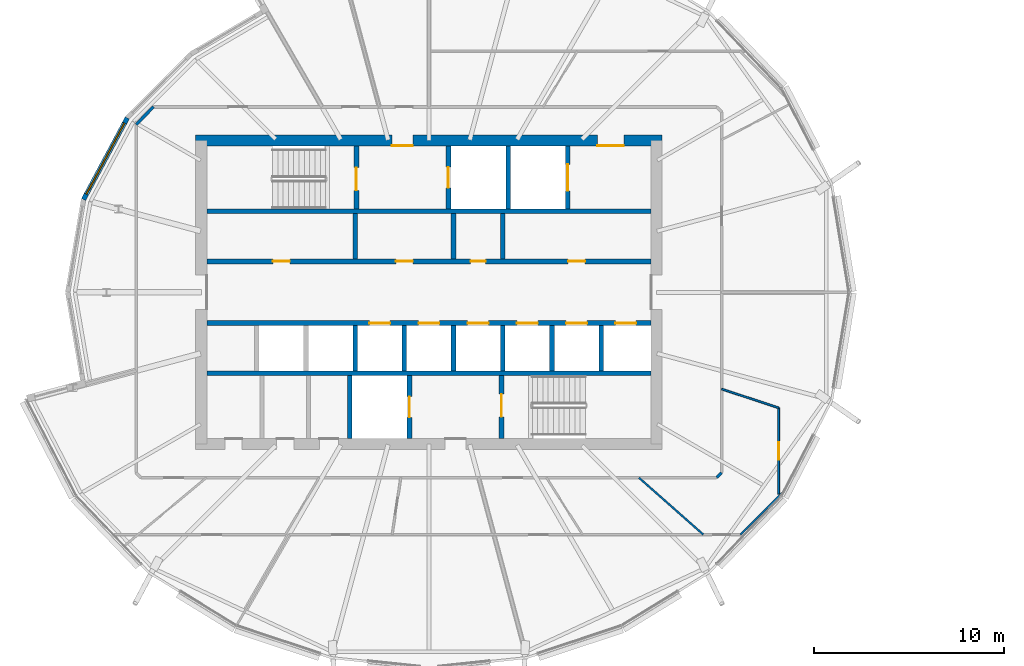
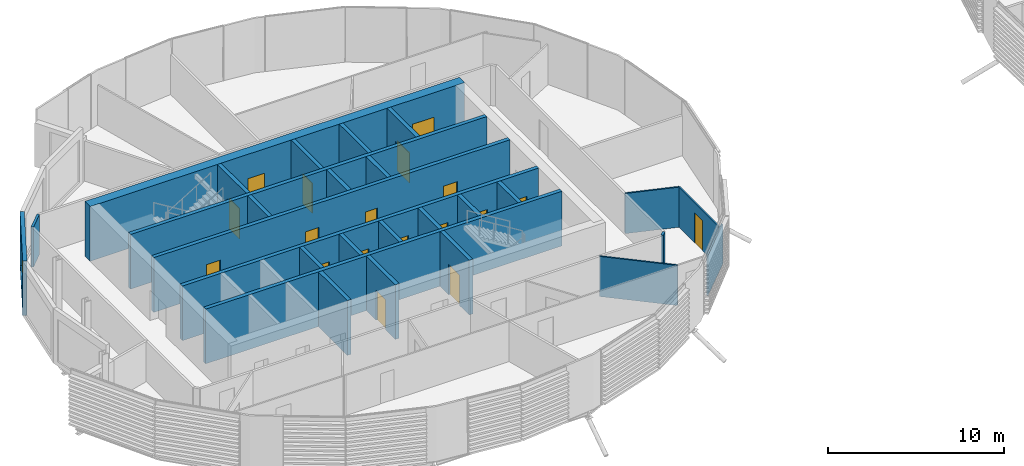
# One storey, part 19 of 36: 28 walls, 18 doors, 1 window, 19 openings.
"""IFC4 building model written with IfcOpenShell, lengths in metres."""

from ifc_helpers import new_model, si_unit, direction, frame, frame_2d, origin, place, context, subcontext, project, spatial, rectangle, extrude, material, layer, layer_set, type_object, element, fill, save


model = new_model("IFC4")

# Units and contexts
model_context = context("Model", 3, precision=1e-05, world=origin(), true_north=direction((0.0, 1.0)))
body_context = subcontext(model_context, "Body", "Model", "MODEL_VIEW")
ifc_project = project(units=[si_unit("LENGTHUNIT", "METRE"), si_unit("AREAUNIT", "SQUARE_METRE"), si_unit("VOLUMEUNIT", "CUBIC_METRE"), si_unit("PLANEANGLEUNIT", "RADIAN"), si_unit("MASSUNIT", "GRAM", prefix="KILO")], contexts=[model_context])

# Site, building, storey
site_placement = place(None, origin())
site = spatial("IfcSite", under=ifc_project, at=site_placement, CompositionType="ELEMENT")
building_placement = place(site_placement, origin())
building = spatial("IfcBuilding", under=site, at=building_placement, Name="Rimbun Link Towers", CompositionType="ELEMENT")
storey_placement = place(building_placement, frame((0.0, 0.0, 174.10009765625)))
storey = spatial("IfcBuildingStorey", under=building, at=storey_placement, Name="L42", CompositionType="ELEMENT", Elevation=174.10009765625)

# Wall, opening, window
ifc_material_1 = material(Name="Dark enamelled glass spandrel on insulated aluminium backpan", Category="aluminium")
ifc_layer_1 = layer(ifc_material_1, 0.25)
ifc_layer_set_1 = layer_set([ifc_layer_1], Name="CS dark enamelled spandrel wall 250")
wall_type_1 = type_object("IfcWallType", Name="CS dark enamelled spandrel wall 250", PredefinedType="STANDARD", material=ifc_layer_set_1)
wall_1_placement = place(storey_placement, frame((-49.9638671875, 4.889404296875, 0.0), z_axis=(0.0, 0.0, 1.0), x_axis=(0.472458338274, 0.881353004531, 0.0)))
wall_1 = element("IfcWall", 1, at=wall_1_placement, inside=storey, type_object=wall_type_1, Name="Crease spandrel wall", PredefinedType="STANDARD", context=body_context, shape_type="SweptSolid", body=[
    extrude(rectangle(XDim=4.889404296875, YDim=0.25, at=frame_2d((2.44482421875, 0.0))), origin(), (0.0, 0.0, 1.0), 3.7998046875),
])
opening_1_placement = place(wall_1_placement, frame((0.31982421875, 0.0, 0.300048828125)))
opening_1 = element("IfcOpeningElement", 2, at=opening_1_placement, cuts=wall_1, Name="Opening WR42H295", PredefinedType="OPENING", context=body_context, shape_type="SweptSolid", body=[
    extrude(rectangle(XDim=4.25, YDim=2.949951171875, at=frame_2d((2.125, 1.47509765625))), frame((0.0, 0.135009765625, 0.0), z_axis=(0.0, -1.0, 0.0), x_axis=(1.0, 0.0, 0.0)), (0.0, 0.0, 1.0), 0.27001953125),
])
ifc_material_2 = material(Name="Aluminium framed fixed window, dark tinted low-e glass", Category="aluminium")
window_type = type_object("IfcWindowType", Name="WR ribbon window 4250X2950", PartitioningType="SINGLE_PANEL", PredefinedType="WINDOW", material=ifc_material_2)
window_placement = place(opening_1_placement, origin())
window = element("IfcWindow", 3, at=window_placement, inside=storey, type_object=window_type, Name="Crease ribbon window", OverallHeight=2.949951171875, OverallWidth=4.25, PartitioningType="SINGLE_PANEL", PredefinedType="WINDOW", context=body_context, shape_type="SweptSolid", body=[
    extrude(rectangle(XDim=4.25, YDim=2.949951171875, at=frame_2d((2.125, 1.47509765625))), frame((0.0, 0.030029296875, 0.0), z_axis=(0.0, -1.0, 0.0), x_axis=(1.0, 0.0, 0.0)), (0.0, 0.0, 1.0), 0.06005859375),
])
fill(opening_1, window)

# Wall, openings, doors
ifc_material_3 = material(Name="Concrete C60/75", Category="concrete")
ifc_layer_2 = layer(ifc_material_3, 0.60009765625)
ifc_layer_set_2 = layer_set([ifc_layer_2], Name="Core shear wall 600")
wall_type_2 = type_object("IfcWallType", Name="Core shear wall 600", PredefinedType="SHEAR", material=ifc_layer_set_2)
wall_2_placement = place(storey_placement, frame((-44.050048828125, 8.0, 0.0), z_axis=(0.0, 0.0, 1.0), x_axis=(1.0, 0.0, 0.0)))
wall_2 = element("IfcWall", 4, at=wall_2_placement, inside=storey, type_object=wall_type_2, Name="L42 T1 core wall N", PredefinedType="SHEAR", context=body_context, shape_type="SweptSolid", body=[
    extrude(rectangle(XDim=24.60009765625, YDim=0.60009765625, at=frame_2d((12.300048828125, 0.0))), origin(), (0.0, 0.0, 1.0), 3.7998046875),
])
opening_2_placement = place(wall_2_placement, frame((10.35009765625, 0.0, 0.0)))
opening_2 = element("IfcOpeningElement", 5, at=opening_2_placement, cuts=wall_2, Name="Opening C1DCF01N", PredefinedType="OPENING", context=body_context, shape_type="SweptSolid", body=[
    extrude(rectangle(XDim=1.10009765625, YDim=2.10009765625, at=frame_2d((0.550048828125, 1.050048828125))), frame((0.0, 0.31005859375, 0.0), z_axis=(0.0, -1.0, 0.0), x_axis=(1.0, 0.0, 0.0)), (0.0, 0.0, 1.0), 0.6201171875),
])
opening_3_placement = place(wall_2_placement, frame((21.175048828125, 0.0, 0.0)))
opening_3 = element("IfcOpeningElement", 6, at=opening_3_placement, cuts=wall_2, Name="Opening C1DSL02N", PredefinedType="OPENING", context=body_context, shape_type="SweptSolid", body=[
    extrude(rectangle(XDim=1.39990234375, YDim=2.10009765625, at=frame_2d((0.699951171875, 1.050048828125))), frame((0.0, 0.31005859375, 0.0), z_axis=(0.0, -1.0, 0.0), x_axis=(1.0, 0.0, 0.0)), (0.0, 0.0, 1.0), 0.6201171875),
])
ifc_material_4 = material(Name="Steel fire door set", Category="steel")
door_type_1 = type_object("IfcDoorType", Name="Core fire door single", OperationType="SINGLE_SWING_LEFT", PredefinedType="DOOR", material=ifc_material_4)
door_1_placement = place(opening_2_placement, origin())
door_1 = element("IfcDoor", 7, at=door_1_placement, inside=storey, type_object=door_type_1, Name="L42 T1 firefighting lobby n door", OperationType="SINGLE_SWING_LEFT", OverallHeight=2.10009765625, OverallWidth=1.10009765625, PredefinedType="DOOR", context=body_context, shape_type="SweptSolid", body=[
    extrude(rectangle(XDim=1.10009765625, YDim=2.10009765625, at=frame_2d((0.550048828125, 1.050048828125))), frame((0.0, -0.25, 0.0), z_axis=(0.0, -1.0, 0.0), x_axis=(1.0, 0.0, 0.0)), (0.0, 0.0, 1.0), 0.050048828125),
])
fill(opening_2, door_1)
ifc_material_5 = material(Name="Steel fire door set", Category="steel")
door_type_2 = type_object("IfcDoorType", Name="Service lobby door double", OperationType="DOUBLE_DOOR_SINGLE_SWING", PredefinedType="DOOR", material=ifc_material_5)
door_2_placement = place(opening_3_placement, origin())
door_2 = element("IfcDoor", 8, at=door_2_placement, inside=storey, type_object=door_type_2, Name="L42 T1 service lobby door", OperationType="DOUBLE_DOOR_SINGLE_SWING", OverallHeight=2.10009765625, OverallWidth=1.39990234375, PredefinedType="DOOR", context=body_context, shape_type="SweptSolid", body=[
    extrude(rectangle(XDim=1.39990234375, YDim=2.10009765625, at=frame_2d((0.699951171875, 1.050048828125))), frame((0.0, -0.25, 0.0), z_axis=(0.0, -1.0, 0.0), x_axis=(1.0, 0.0, 0.0)), (0.0, 0.0, 1.0), 0.050048828125),
])
fill(opening_3, door_2)

# Walls
ifc_material_6 = material(Name="Plasterboard on steel stud, mineral wool", Category="steel")
ifc_layer_3 = layer(ifc_material_6, 0.14990234375)
ifc_layer_set_3 = layer_set([ifc_layer_3], Name="Corridor wall EI 30 150 mm")
wall_type_3 = type_object("IfcWallType", Name="Corridor wall EI 30 150 mm", PredefinedType="PARTITIONING", material=ifc_layer_set_3)
wall_3_placement = place(storey_placement, frame((-16.576416015625, -9.77490234375, 0.0), z_axis=(0.0, 0.0, 1.0), x_axis=(0.707436973419, 0.706776434695, 0.0)))
element("IfcWall", 9, at=wall_3_placement, inside=storey, type_object=wall_type_3, Name="Corridor wall EI 30 150 mm", PredefinedType="PARTITIONING", context=body_context, shape_type="SweptSolid", body=[
    extrude(rectangle(XDim=0.36962890625, YDim=0.14990234375, at=frame_2d((0.184814453125, 0.0))), origin(), (0.0, 0.0, 1.0), 2.788818359375),
])
wall_4_placement = place(storey_placement, frame((-46.267578125, 9.77490234375, 0.0), z_axis=(0.0, 0.0, 1.0), x_axis=(-0.705978721468, -0.708233044155, 0.0)))
element("IfcWall", 10, at=wall_4_placement, inside=storey, type_object=wall_type_3, Name="Corridor wall EI 30 150 mm", PredefinedType="PARTITIONING", context=body_context, shape_type="SweptSolid", body=[
    extrude(rectangle(XDim=1.299560546875, YDim=0.14990234375, at=frame_2d((0.64990234375, 0.0))), origin(), (0.0, 0.0, 1.0), 2.788818359375),
])
ifc_material_7 = material(Name="Plasterboard on steel stud", Category="steel")
ifc_layer_4 = layer(ifc_material_7, 0.10009765625)
ifc_layer_set_4 = layer_set([ifc_layer_4], Name="Plasterboard partition 100 mm")
wall_type_4 = type_object("IfcWallType", Name="Plasterboard partition 100 mm", PredefinedType="PARTITIONING", material=ifc_layer_set_4)
wall_5_placement = place(storey_placement, frame((-17.28271484375, -12.77490234375, 0.0), z_axis=(0.0, 0.0, 1.0), x_axis=(-0.749592579508, 0.661899512575, 0.0)))
element("IfcWall", 11, at=wall_5_placement, inside=storey, type_object=wall_type_4, Name="Plasterboard partition 100 mm", PredefinedType="PARTITIONING", context=body_context, shape_type="SweptSolid", body=[
    extrude(rectangle(XDim=4.532470703125, YDim=0.10009765625, at=frame_2d((2.26611328125, 0.0))), origin(), (0.0, 0.0, 1.0), 2.788818359375),
])
wall_6_placement = place(storey_placement, frame((-15.333740234375, -12.77490234375, 0.0), z_axis=(0.0, 0.0, 1.0), x_axis=(0.707144615627, 0.707068944721, 0.0)))
element("IfcWall", 12, at=wall_6_placement, inside=storey, type_object=wall_type_4, Name="Plasterboard partition 100 mm", PredefinedType="PARTITIONING", context=body_context, shape_type="SweptSolid", body=[
    extrude(rectangle(XDim=3.226318359375, YDim=0.10009765625, at=frame_2d((1.61328125, 0.0))), origin(), (0.0, 0.0, 1.0), 2.788818359375),
])

# Wall, opening, door
wall_7_placement = place(storey_placement, frame((-13.31494140625, -6.08984375, 0.0), z_axis=(0.0, 0.0, 1.0), x_axis=(0.0, -1.0, 0.0)))
wall_7 = element("IfcWall", 13, at=wall_7_placement, inside=storey, type_object=wall_type_4, Name="Plasterboard partition 100 mm", PredefinedType="PARTITIONING", context=body_context, shape_type="SweptSolid", body=[
    extrude(rectangle(XDim=4.5537109375, YDim=0.10009765625, at=frame_2d((2.27685546875, 0.0))), origin(), (0.0, 0.0, 1.0), 2.788818359375),
])
opening_4_placement = place(wall_7_placement, frame((1.826904296875, 0.0, 0.0)))
opening_4 = element("IfcOpeningElement", 14, at=opening_4_placement, cuts=wall_7, Name="Opening D04", PredefinedType="OPENING", context=body_context, shape_type="SweptSolid", body=[
    extrude(rectangle(XDim=0.89990234375, YDim=2.10009765625, at=frame_2d((0.449951171875, 1.050048828125))), frame((0.0, 0.06005859375, 0.0), z_axis=(0.0, -1.0, 0.0), x_axis=(1.0, 0.0, 0.0)), (0.0, 0.0, 1.0), 0.1201171875),
])
ifc_material_8 = material(Name="Timber door leaf", Category="wood")
door_type_3 = type_object("IfcDoorType", Name="Flush door 900", OperationType="NOTDEFINED", PredefinedType="DOOR", material=ifc_material_8)
door_3_placement = place(opening_4_placement, origin())
door_3 = element("IfcDoor", 15, at=door_3_placement, inside=storey, type_object=door_type_3, Name="Flush door 900 to Project room", OperationType="SINGLE_SWING_RIGHT", OverallHeight=2.10009765625, OverallWidth=0.89990234375, PredefinedType="DOOR", context=body_context, shape_type="SweptSolid", body=[
    extrude(rectangle(XDim=0.89990234375, YDim=2.10009765625, at=frame_2d((0.449951171875, 1.050048828125))), frame((0.0, 0.02490234375, 0.0), z_axis=(0.0, -1.0, 0.0), x_axis=(1.0, 0.0, 0.0)), (0.0, 0.0, 1.0), 0.050048828125),
])
fill(opening_4, door_3)

# Walls
wall_8_placement = place(storey_placement, frame((-13.31494140625, -6.08984375, 0.0), z_axis=(0.0, 0.0, 1.0), x_axis=(-0.949537544807, 0.313653393097, 0.0)))
element("IfcWall", 16, at=wall_8_placement, inside=storey, type_object=wall_type_4, Name="Plasterboard partition 100 mm", PredefinedType="PARTITIONING", context=body_context, shape_type="SweptSolid", body=[
    extrude(rectangle(XDim=3.159423828125, YDim=0.10009765625, at=frame_2d((1.57958984375, 0.0))), origin(), (0.0, 0.0, 1.0), 2.788818359375),
])
ifc_material_9 = material(Name="Concrete C60/75", Category="concrete")
ifc_layer_5 = layer(ifc_material_9, 0.25)
ifc_layer_set_5 = layer_set([ifc_layer_5], Name="Shaft wall 250")
wall_type_5 = type_object("IfcWallType", Name="Shaft wall 250", PredefinedType="SHEAR", material=ifc_layer_set_5)
for number, where, z_axis, x_axis, name in (
    (17, (-43.449951171875, 4.27490234375, 0.0), (0.0, 0.0, 1.0), (1.0, 0.0, 0.0), "L42 T1 core wall BN"),
    (18, (-43.449951171875, -4.27490234375, 0.0), (0.0, 0.0, 1.0), (1.0, 0.0, 0.0), "L42 T1 core wall BS"),
):
    element("IfcWall", number, at=place(storey_placement, frame(where, z_axis=z_axis, x_axis=x_axis)), inside=storey, type_object=wall_type_5, Name=name, PredefinedType="SHEAR", context=body_context, shape_type="SweptSolid", body=[
        extrude(rectangle(XDim=23.39990234375, YDim=0.25, at=frame_2d((11.699951171875, 0.0))), origin(), (0.0, 0.0, 1.0), 3.7998046875),
    ])

# Wall, openings, doors
wall_9_placement = place(storey_placement, frame((-43.449951171875, 1.625, 0.0), z_axis=(0.0, 0.0, 1.0), x_axis=(1.0, 0.0, 0.0)))
wall_9 = element("IfcWall", 19, at=wall_9_placement, inside=storey, type_object=wall_type_5, Name="L42 T1 core wall FN", PredefinedType="SHEAR", context=body_context, shape_type="SweptSolid", body=[
    extrude(rectangle(XDim=23.39990234375, YDim=0.25, at=frame_2d((11.699951171875, 0.0))), origin(), (0.0, 0.0, 1.0), 3.7998046875),
])
opening_5_placement = place(wall_9_placement, frame((3.466796875, 0.0, 0.0)))
opening_5 = element("IfcOpeningElement", 20, at=opening_5_placement, cuts=wall_9, Name="Opening C1DRS01FN", PredefinedType="OPENING", context=body_context, shape_type="SweptSolid", body=[
    extrude(rectangle(XDim=0.89990234375, YDim=2.10009765625, at=frame_2d((0.449951171875, 1.050048828125))), frame((0.0, 0.135009765625, 0.0), z_axis=(0.0, -1.0, 0.0), x_axis=(1.0, 0.0, 0.0)), (0.0, 0.0, 1.0), 0.27001953125),
])
opening_6_placement = place(wall_9_placement, frame((9.952880859375, 0.0, 0.0)))
opening_6 = element("IfcOpeningElement", 21, at=opening_6_placement, cuts=wall_9, Name="Opening C1DRS02FN", PredefinedType="OPENING", context=body_context, shape_type="SweptSolid", body=[
    extrude(rectangle(XDim=0.89990234375, YDim=2.10009765625, at=frame_2d((0.449951171875, 1.050048828125))), frame((0.0, 0.135009765625, 0.0), z_axis=(0.0, -1.0, 0.0), x_axis=(1.0, 0.0, 0.0)), (0.0, 0.0, 1.0), 0.27001953125),
])
opening_7_placement = place(wall_9_placement, frame((13.894287109375, 0.0, 0.0)))
opening_7 = element("IfcOpeningElement", 22, at=opening_7_placement, cuts=wall_9, Name="Opening C1DRA03FN", PredefinedType="OPENING", context=body_context, shape_type="SweptSolid", body=[
    extrude(rectangle(XDim=0.800048828125, YDim=2.10009765625, at=frame_2d((0.39990234375, 1.050048828125))), frame((0.0, 0.135009765625, 0.0), z_axis=(0.0, -1.0, 0.0), x_axis=(1.0, 0.0, 0.0)), (0.0, 0.0, 1.0), 0.27001953125),
])
opening_8_placement = place(wall_9_placement, frame((19.033203125, 0.0, 0.0)))
opening_8 = element("IfcOpeningElement", 23, at=opening_8_placement, cuts=wall_9, Name="Opening C1DRS04FN", PredefinedType="OPENING", context=body_context, shape_type="SweptSolid", body=[
    extrude(rectangle(XDim=0.89990234375, YDim=2.10009765625, at=frame_2d((0.449951171875, 1.050048828125))), frame((0.0, 0.135009765625, 0.0), z_axis=(0.0, -1.0, 0.0), x_axis=(1.0, 0.0, 0.0)), (0.0, 0.0, 1.0), 0.27001953125),
])
ifc_material_10 = material(Name="Steel fire door set", Category="steel")
door_type_4 = type_object("IfcDoorType", Name="Core riser door", OperationType="SINGLE_SWING_LEFT", PredefinedType="DOOR", material=ifc_material_10)
door_4_placement = place(opening_5_placement, origin())
door_4 = element("IfcDoor", 24, at=door_4_placement, inside=storey, type_object=door_type_4, Name="L42 T1 plant room door", OperationType="SINGLE_SWING_LEFT", OverallHeight=2.10009765625, OverallWidth=0.89990234375, PredefinedType="DOOR", context=body_context, shape_type="SweptSolid", body=[
    extrude(rectangle(XDim=0.89990234375, YDim=2.10009765625, at=frame_2d((0.449951171875, 1.050048828125))), frame((0.0, 0.02490234375, 0.0), z_axis=(0.0, -1.0, 0.0), x_axis=(1.0, 0.0, 0.0)), (0.0, 0.0, 1.0), 0.050048828125),
])
fill(opening_5, door_4)
door_5_placement = place(opening_6_placement, origin())
door_5 = element("IfcDoor", 25, at=door_5_placement, inside=storey, type_object=door_type_4, Name="L42 T1 pantry door", OperationType="SINGLE_SWING_RIGHT", OverallHeight=2.10009765625, OverallWidth=0.89990234375, PredefinedType="DOOR", context=body_context, shape_type="SweptSolid", body=[
    extrude(rectangle(XDim=0.89990234375, YDim=2.10009765625, at=frame_2d((0.449951171875, 1.050048828125))), frame((0.0, 0.02490234375, 0.0), z_axis=(0.0, -1.0, 0.0), x_axis=(1.0, 0.0, 0.0)), (0.0, 0.0, 1.0), 0.050048828125),
])
fill(opening_6, door_5)
door_6_placement = place(opening_8_placement, origin())
door_6 = element("IfcDoor", 26, at=door_6_placement, inside=storey, type_object=door_type_4, Name="L42 T1 plant room door", OperationType="SINGLE_SWING_LEFT", OverallHeight=2.10009765625, OverallWidth=0.89990234375, PredefinedType="DOOR", context=body_context, shape_type="SweptSolid", body=[
    extrude(rectangle(XDim=0.89990234375, YDim=2.10009765625, at=frame_2d((0.449951171875, 1.050048828125))), frame((0.0, 0.02490234375, 0.0), z_axis=(0.0, -1.0, 0.0), x_axis=(1.0, 0.0, 0.0)), (0.0, 0.0, 1.0), 0.050048828125),
])
fill(opening_8, door_6)
ifc_material_11 = material(Name="Steel fire door set", Category="steel")
door_type_5 = type_object("IfcDoorType", Name="Riser access door 800 x 2100", OperationType="SINGLE_SWING_LEFT", PredefinedType="DOOR", material=ifc_material_11)
door_7_placement = place(opening_7_placement, origin())
door_7 = element("IfcDoor", 27, at=door_7_placement, inside=storey, type_object=door_type_5, Name="L42 T1 riser cupboard door", OperationType="SINGLE_SWING_LEFT", OverallHeight=2.10009765625, OverallWidth=0.800048828125, PredefinedType="DOOR", context=body_context, shape_type="SweptSolid", body=[
    extrude(rectangle(XDim=0.800048828125, YDim=2.10009765625, at=frame_2d((0.39990234375, 1.050048828125))), frame((0.0, 0.02490234375, 0.0), z_axis=(0.0, -1.0, 0.0), x_axis=(1.0, 0.0, 0.0)), (0.0, 0.0, 1.0), 0.050048828125),
])
fill(opening_7, door_7)

wall_10_placement = place(storey_placement, frame((-43.449951171875, -1.625, 0.0), z_axis=(0.0, 0.0, 1.0), x_axis=(1.0, 0.0, 0.0)))
wall_10 = element("IfcWall", 28, at=wall_10_placement, inside=storey, type_object=wall_type_5, Name="L42 T1 core wall FS", PredefinedType="SHEAR", context=body_context, shape_type="SweptSolid", body=[
    extrude(rectangle(XDim=23.39990234375, YDim=0.25, at=frame_2d((11.699951171875, 0.0))), origin(), (0.0, 0.0, 1.0), 3.7998046875),
])
opening_9_placement = place(wall_10_placement, frame((8.5556640625, 0.0, 0.0)))
opening_9 = element("IfcOpeningElement", 29, at=opening_9_placement, cuts=wall_10, Name="Opening LD-T1-HR1", PredefinedType="OPENING", context=body_context, shape_type="SweptSolid", body=[
    extrude(rectangle(XDim=1.10009765625, YDim=2.10009765625, at=frame_2d((0.550048828125, 1.050048828125))), frame((0.0, 0.135009765625, 0.0), z_axis=(0.0, -1.0, 0.0), x_axis=(1.0, 0.0, 0.0)), (0.0, 0.0, 1.0), 0.27001953125),
])
opening_10_placement = place(wall_10_placement, frame((11.14990234375, 0.0, 0.0)))
opening_10 = element("IfcOpeningElement", 30, at=opening_10_placement, cuts=wall_10, Name="Opening LD-T1-HR2", PredefinedType="OPENING", context=body_context, shape_type="SweptSolid", body=[
    extrude(rectangle(XDim=1.10009765625, YDim=2.10009765625, at=frame_2d((0.550048828125, 1.050048828125))), frame((0.0, 0.135009765625, 0.0), z_axis=(0.0, -1.0, 0.0), x_axis=(1.0, 0.0, 0.0)), (0.0, 0.0, 1.0), 0.27001953125),
])
opening_11_placement = place(wall_10_placement, frame((13.744384765625, 0.0, 0.0)))
opening_11 = element("IfcOpeningElement", 31, at=opening_11_placement, cuts=wall_10, Name="Opening LD-T1-HR3", PredefinedType="OPENING", context=body_context, shape_type="SweptSolid", body=[
    extrude(rectangle(XDim=1.10009765625, YDim=2.10009765625, at=frame_2d((0.550048828125, 1.050048828125))), frame((0.0, 0.135009765625, 0.0), z_axis=(0.0, -1.0, 0.0), x_axis=(1.0, 0.0, 0.0)), (0.0, 0.0, 1.0), 0.27001953125),
])
opening_12_placement = place(wall_10_placement, frame((16.3388671875, 0.0, 0.0)))
opening_12 = element("IfcOpeningElement", 32, at=opening_12_placement, cuts=wall_10, Name="Opening LD-T1-HR4", PredefinedType="OPENING", context=body_context, shape_type="SweptSolid", body=[
    extrude(rectangle(XDim=1.10009765625, YDim=2.10009765625, at=frame_2d((0.550048828125, 1.050048828125))), frame((0.0, 0.135009765625, 0.0), z_axis=(0.0, -1.0, 0.0), x_axis=(1.0, 0.0, 0.0)), (0.0, 0.0, 1.0), 0.27001953125),
])
opening_13_placement = place(wall_10_placement, frame((18.933349609375, 0.0, 0.0)))
opening_13 = element("IfcOpeningElement", 33, at=opening_13_placement, cuts=wall_10, Name="Opening LD-T1-HR5", PredefinedType="OPENING", context=body_context, shape_type="SweptSolid", body=[
    extrude(rectangle(XDim=1.10009765625, YDim=2.10009765625, at=frame_2d((0.550048828125, 1.050048828125))), frame((0.0, 0.135009765625, 0.0), z_axis=(0.0, -1.0, 0.0), x_axis=(1.0, 0.0, 0.0)), (0.0, 0.0, 1.0), 0.27001953125),
])
opening_14_placement = place(wall_10_placement, frame((21.52783203125, 0.0, 0.0)))
opening_14 = element("IfcOpeningElement", 34, at=opening_14_placement, cuts=wall_10, Name="Opening LD-T1-HR6", PredefinedType="OPENING", context=body_context, shape_type="SweptSolid", body=[
    extrude(rectangle(XDim=1.10009765625, YDim=2.10009765625, at=frame_2d((0.550048828125, 1.050048828125))), frame((0.0, 0.135009765625, 0.0), z_axis=(0.0, -1.0, 0.0), x_axis=(1.0, 0.0, 0.0)), (0.0, 0.0, 1.0), 0.27001953125),
])
ifc_material_12 = material(Name="Stainless steel grade 316", Category="steel")
door_type_6 = type_object("IfcDoorType", Name="Lift landing door", OperationType="DOUBLE_DOOR_SLIDING", PredefinedType="DOOR", material=ifc_material_12)
door_8_placement = place(opening_9_placement, origin())
door_8 = element("IfcDoor", 35, at=door_8_placement, inside=storey, type_object=door_type_6, Name="L42 T1 lift HR1 landing door", OperationType="DOUBLE_DOOR_SLIDING", OverallHeight=2.10009765625, OverallWidth=1.10009765625, PredefinedType="DOOR", context=body_context, shape_type="SweptSolid", body=[
    extrude(rectangle(XDim=1.10009765625, YDim=2.10009765625, at=frame_2d((0.550048828125, 1.050048828125))), frame((0.0, 0.02490234375, 0.0), z_axis=(0.0, -1.0, 0.0), x_axis=(1.0, 0.0, 0.0)), (0.0, 0.0, 1.0), 0.050048828125),
])
fill(opening_9, door_8)
door_9_placement = place(opening_10_placement, origin())
door_9 = element("IfcDoor", 36, at=door_9_placement, inside=storey, type_object=door_type_6, Name="L42 T1 lift HR2 landing door", OperationType="DOUBLE_DOOR_SLIDING", OverallHeight=2.10009765625, OverallWidth=1.10009765625, PredefinedType="DOOR", context=body_context, shape_type="SweptSolid", body=[
    extrude(rectangle(XDim=1.10009765625, YDim=2.10009765625, at=frame_2d((0.550048828125, 1.050048828125))), frame((0.0, 0.02490234375, 0.0), z_axis=(0.0, -1.0, 0.0), x_axis=(1.0, 0.0, 0.0)), (0.0, 0.0, 1.0), 0.050048828125),
])
fill(opening_10, door_9)
door_10_placement = place(opening_11_placement, origin())
door_10 = element("IfcDoor", 37, at=door_10_placement, inside=storey, type_object=door_type_6, Name="L42 T1 lift HR3 landing door", OperationType="DOUBLE_DOOR_SLIDING", OverallHeight=2.10009765625, OverallWidth=1.10009765625, PredefinedType="DOOR", context=body_context, shape_type="SweptSolid", body=[
    extrude(rectangle(XDim=1.10009765625, YDim=2.10009765625, at=frame_2d((0.550048828125, 1.050048828125))), frame((0.0, 0.02490234375, 0.0), z_axis=(0.0, -1.0, 0.0), x_axis=(1.0, 0.0, 0.0)), (0.0, 0.0, 1.0), 0.050048828125),
])
fill(opening_11, door_10)
door_11_placement = place(opening_12_placement, origin())
door_11 = element("IfcDoor", 38, at=door_11_placement, inside=storey, type_object=door_type_6, Name="L42 T1 lift HR4 landing door", OperationType="DOUBLE_DOOR_SLIDING", OverallHeight=2.10009765625, OverallWidth=1.10009765625, PredefinedType="DOOR", context=body_context, shape_type="SweptSolid", body=[
    extrude(rectangle(XDim=1.10009765625, YDim=2.10009765625, at=frame_2d((0.550048828125, 1.050048828125))), frame((0.0, 0.02490234375, 0.0), z_axis=(0.0, -1.0, 0.0), x_axis=(1.0, 0.0, 0.0)), (0.0, 0.0, 1.0), 0.050048828125),
])
fill(opening_12, door_11)
door_12_placement = place(opening_13_placement, origin())
door_12 = element("IfcDoor", 39, at=door_12_placement, inside=storey, type_object=door_type_6, Name="L42 T1 lift HR5 landing door", OperationType="DOUBLE_DOOR_SLIDING", OverallHeight=2.10009765625, OverallWidth=1.10009765625, PredefinedType="DOOR", context=body_context, shape_type="SweptSolid", body=[
    extrude(rectangle(XDim=1.10009765625, YDim=2.10009765625, at=frame_2d((0.550048828125, 1.050048828125))), frame((0.0, 0.02490234375, 0.0), z_axis=(0.0, -1.0, 0.0), x_axis=(1.0, 0.0, 0.0)), (0.0, 0.0, 1.0), 0.050048828125),
])
fill(opening_13, door_12)
door_13_placement = place(opening_14_placement, origin())
door_13 = element("IfcDoor", 40, at=door_13_placement, inside=storey, type_object=door_type_6, Name="L42 T1 lift HR6 landing door", OperationType="DOUBLE_DOOR_SLIDING", OverallHeight=2.10009765625, OverallWidth=1.10009765625, PredefinedType="DOOR", context=body_context, shape_type="SweptSolid", body=[
    extrude(rectangle(XDim=1.10009765625, YDim=2.10009765625, at=frame_2d((0.550048828125, 1.050048828125))), frame((0.0, 0.02490234375, 0.0), z_axis=(0.0, -1.0, 0.0), x_axis=(1.0, 0.0, 0.0)), (0.0, 0.0, 1.0), 0.050048828125),
])
fill(opening_14, door_13)

# Walls
for number, where, z_axis, x_axis, name in (
    (41, (-35.6416015625, 1.75, 0.0), (0.0, 0.0, 1.0), (0.0, 1.0, 0.0), "L42 T1 core wall DN2"),
    (42, (-30.452880859375, 1.75, 0.0), (0.0, 0.0, 1.0), (0.0, 1.0, 0.0), "L42 T1 core wall DN4"),
    (43, (-27.8583984375, 1.75, 0.0), (0.0, 0.0, 1.0), (0.0, 1.0, 0.0), "L42 T1 core wall DN5"),
    (44, (-35.6416015625, -4.14990234375, 0.0), (0.0, 0.0, 1.0), (0.0, 1.0, 0.0), "L42 T1 core wall DS2"),
    (45, (-33.047119140625, -4.14990234375, 0.0), (0.0, 0.0, 1.0), (0.0, 1.0, 0.0), "L42 T1 core wall DS3"),
    (46, (-30.452880859375, -4.14990234375, 0.0), (0.0, 0.0, 1.0), (0.0, 1.0, 0.0), "L42 T1 core wall DS4"),
    (47, (-27.8583984375, -4.14990234375, 0.0), (0.0, 0.0, 1.0), (0.0, 1.0, 0.0), "L42 T1 core wall DS5"),
    (48, (-25.263916015625, -4.14990234375, 0.0), (0.0, 0.0, 1.0), (0.0, 1.0, 0.0), "L42 T1 core wall DS6"),
    (49, (-22.66943359375, -4.14990234375, 0.0), (0.0, 0.0, 1.0), (0.0, 1.0, 0.0), "L42 T1 core wall DS7"),
):
    element("IfcWall", number, at=place(storey_placement, frame(where, z_axis=z_axis, x_axis=x_axis)), inside=storey, type_object=wall_type_5, Name=name, PredefinedType="SHEAR", context=body_context, shape_type="SweptSolid", body=[
        extrude(rectangle(XDim=2.39990234375, YDim=0.25, at=frame_2d((1.199951171875, 0.0))), origin(), (0.0, 0.0, 1.0), 3.7998046875),
    ])

# Wall, opening, door
wall_11_placement = place(storey_placement, frame((-35.574951171875, 4.39990234375, 0.0), z_axis=(0.0, 0.0, 1.0), x_axis=(0.0, 1.0, 0.0)))
wall_11 = element("IfcWall", 50, at=wall_11_placement, inside=storey, type_object=wall_type_5, Name="L42 T1 core wall A1", PredefinedType="SHEAR", context=body_context, shape_type="SweptSolid", body=[
    extrude(rectangle(XDim=3.300048828125, YDim=0.25, at=frame_2d((1.64990234375, 0.0))), origin(), (0.0, 0.0, 1.0), 3.7998046875),
])
opening_15_placement = place(wall_11_placement, frame((0.97509765625, 0.0, 0.0)))
opening_15 = element("IfcOpeningElement", 51, at=opening_15_placement, cuts=wall_11, Name="Opening C1DST01A1", PredefinedType="OPENING", context=body_context, shape_type="SweptSolid", body=[
    extrude(rectangle(XDim=1.199951171875, YDim=2.10009765625, at=frame_2d((0.60009765625, 1.050048828125))), frame((0.0, 0.135009765625, 0.0), z_axis=(0.0, -1.0, 0.0), x_axis=(1.0, 0.0, 0.0)), (0.0, 0.0, 1.0), 0.27001953125),
])
ifc_material_13 = material(Name="Steel fire door set", Category="steel")
door_type_7 = type_object("IfcDoorType", Name="Stair door", OperationType="SINGLE_SWING_LEFT", PredefinedType="DOOR", material=ifc_material_13)
door_14_placement = place(opening_15_placement, origin())
door_14 = element("IfcDoor", 52, at=door_14_placement, inside=storey, type_object=door_type_7, Name="L42 T1 stair a door", OperationType="SINGLE_SWING_RIGHT", OverallHeight=2.10009765625, OverallWidth=1.199951171875, PredefinedType="DOOR", context=body_context, shape_type="SweptSolid", body=[
    extrude(rectangle(XDim=1.199951171875, YDim=2.10009765625, at=frame_2d((0.60009765625, 1.050048828125))), frame((0.0, 0.02490234375, 0.0), z_axis=(0.0, -1.0, 0.0), x_axis=(1.0, 0.0, 0.0)), (0.0, 0.0, 1.0), 0.050048828125),
])
fill(opening_15, door_14)

wall_12_placement = place(storey_placement, frame((-30.72509765625, 4.39990234375, 0.0), z_axis=(0.0, 0.0, 1.0), x_axis=(0.0, 1.0, 0.0)))
wall_12 = element("IfcWall", 53, at=wall_12_placement, inside=storey, type_object=wall_type_5, Name="L42 T1 core wall A2", PredefinedType="SHEAR", context=body_context, shape_type="SweptSolid", body=[
    extrude(rectangle(XDim=3.300048828125, YDim=0.25, at=frame_2d((1.64990234375, 0.0))), origin(), (0.0, 0.0, 1.0), 3.7998046875),
])
opening_16_placement = place(wall_12_placement, frame((1.10009765625, 0.0, 0.0)))
opening_16 = element("IfcOpeningElement", 54, at=opening_16_placement, cuts=wall_12, Name="Opening LD-T1-FF1", PredefinedType="OPENING", context=body_context, shape_type="SweptSolid", body=[
    extrude(rectangle(XDim=1.10009765625, YDim=2.10009765625, at=frame_2d((0.550048828125, 1.050048828125))), frame((0.0, 0.135009765625, 0.0), z_axis=(0.0, -1.0, 0.0), x_axis=(1.0, 0.0, 0.0)), (0.0, 0.0, 1.0), 0.27001953125),
])
door_15_placement = place(opening_16_placement, origin())
door_15 = element("IfcDoor", 55, at=door_15_placement, inside=storey, type_object=door_type_6, Name="L42 T1 lift FF1 landing door", OperationType="DOUBLE_DOOR_SLIDING", OverallHeight=2.10009765625, OverallWidth=1.10009765625, PredefinedType="DOOR", context=body_context, shape_type="SweptSolid", body=[
    extrude(rectangle(XDim=1.10009765625, YDim=2.10009765625, at=frame_2d((0.550048828125, 1.050048828125))), frame((0.0, 0.02490234375, 0.0), z_axis=(0.0, -1.0, 0.0), x_axis=(1.0, 0.0, 0.0)), (0.0, 0.0, 1.0), 0.050048828125),
])
fill(opening_16, door_15)

# Wall
wall_13_placement = place(storey_placement, frame((-27.574951171875, 4.39990234375, 0.0), z_axis=(0.0, 0.0, 1.0), x_axis=(0.0, 1.0, 0.0)))
element("IfcWall", 56, at=wall_13_placement, inside=storey, type_object=wall_type_5, Name="L42 T1 core wall A3", PredefinedType="SHEAR", context=body_context, shape_type="SweptSolid", body=[
    extrude(rectangle(XDim=3.300048828125, YDim=0.25, at=frame_2d((1.64990234375, 0.0))), origin(), (0.0, 0.0, 1.0), 3.7998046875),
])

# Wall, opening, door
wall_14_placement = place(storey_placement, frame((-24.425048828125, 4.39990234375, 0.0), z_axis=(0.0, 0.0, 1.0), x_axis=(0.0, 1.0, 0.0)))
wall_14 = element("IfcWall", 57, at=wall_14_placement, inside=storey, type_object=wall_type_5, Name="L42 T1 core wall A4", PredefinedType="SHEAR", context=body_context, shape_type="SweptSolid", body=[
    extrude(rectangle(XDim=3.300048828125, YDim=0.25, at=frame_2d((1.64990234375, 0.0))), origin(), (0.0, 0.0, 1.0), 3.7998046875),
])
opening_17_placement = place(wall_14_placement, frame((0.949951171875, 0.0, 0.0)))
opening_17 = element("IfcOpeningElement", 58, at=opening_17_placement, cuts=wall_14, Name="Opening LD-T1-GL1", PredefinedType="OPENING", context=body_context, shape_type="SweptSolid", body=[
    extrude(rectangle(XDim=1.39990234375, YDim=2.10009765625, at=frame_2d((0.699951171875, 1.050048828125))), frame((0.0, 0.135009765625, 0.0), z_axis=(0.0, -1.0, 0.0), x_axis=(1.0, 0.0, 0.0)), (0.0, 0.0, 1.0), 0.27001953125),
])
ifc_material_14 = material(Name="Stainless steel grade 316", Category="steel")
door_type_8 = type_object("IfcDoorType", Name="Goods lift landing door", OperationType="DOUBLE_DOOR_SLIDING", PredefinedType="DOOR", material=ifc_material_14)
door_16_placement = place(opening_17_placement, origin())
door_16 = element("IfcDoor", 59, at=door_16_placement, inside=storey, type_object=door_type_8, Name="L42 T1 lift GL1 landing door", OperationType="DOUBLE_DOOR_SLIDING", OverallHeight=2.10009765625, OverallWidth=1.39990234375, PredefinedType="DOOR", context=body_context, shape_type="SweptSolid", body=[
    extrude(rectangle(XDim=1.39990234375, YDim=2.10009765625, at=frame_2d((0.699951171875, 1.050048828125))), frame((0.0, 0.02490234375, 0.0), z_axis=(0.0, -1.0, 0.0), x_axis=(1.0, 0.0, 0.0)), (0.0, 0.0, 1.0), 0.050048828125),
])
fill(opening_17, door_16)

wall_15_placement = place(storey_placement, frame((-27.925048828125, -4.39990234375, 0.0), z_axis=(0.0, 0.0, 1.0), x_axis=(0.0, -1.0, 0.0)))
wall_15 = element("IfcWall", 60, at=wall_15_placement, inside=storey, type_object=wall_type_5, Name="L42 T1 core wall B1", PredefinedType="SHEAR", context=body_context, shape_type="SweptSolid", body=[
    extrude(rectangle(XDim=3.300048828125, YDim=0.25, at=frame_2d((1.64990234375, 0.0))), origin(), (0.0, 0.0, 1.0), 3.7998046875),
])
opening_18_placement = place(wall_15_placement, frame((0.97509765625, 0.0, 0.0)))
opening_18 = element("IfcOpeningElement", 61, at=opening_18_placement, cuts=wall_15, Name="Opening C1DST01B1", PredefinedType="OPENING", context=body_context, shape_type="SweptSolid", body=[
    extrude(rectangle(XDim=1.199951171875, YDim=2.10009765625, at=frame_2d((0.60009765625, 1.050048828125))), frame((0.0, 0.135009765625, 0.0), z_axis=(0.0, -1.0, 0.0), x_axis=(1.0, 0.0, 0.0)), (0.0, 0.0, 1.0), 0.27001953125),
])
door_17_placement = place(opening_18_placement, origin())
door_17 = element("IfcDoor", 62, at=door_17_placement, inside=storey, type_object=door_type_7, Name="L42 T1 stair b door", OperationType="SINGLE_SWING_RIGHT", OverallHeight=2.10009765625, OverallWidth=1.199951171875, PredefinedType="DOOR", context=body_context, shape_type="SweptSolid", body=[
    extrude(rectangle(XDim=1.199951171875, YDim=2.10009765625, at=frame_2d((0.60009765625, 1.050048828125))), frame((0.0, 0.02490234375, 0.0), z_axis=(0.0, -1.0, 0.0), x_axis=(1.0, 0.0, 0.0)), (0.0, 0.0, 1.0), 0.050048828125),
])
fill(opening_18, door_17)

wall_16_placement = place(storey_placement, frame((-32.77490234375, -4.39990234375, 0.0), z_axis=(0.0, 0.0, 1.0), x_axis=(0.0, -1.0, 0.0)))
wall_16 = element("IfcWall", 63, at=wall_16_placement, inside=storey, type_object=wall_type_5, Name="L42 T1 core wall B2", PredefinedType="SHEAR", context=body_context, shape_type="SweptSolid", body=[
    extrude(rectangle(XDim=3.300048828125, YDim=0.25, at=frame_2d((1.64990234375, 0.0))), origin(), (0.0, 0.0, 1.0), 3.7998046875),
])
opening_19_placement = place(wall_16_placement, frame((1.10009765625, 0.0, 0.0)))
opening_19 = element("IfcOpeningElement", 64, at=opening_19_placement, cuts=wall_16, Name="Opening LD-T1-FF2", PredefinedType="OPENING", context=body_context, shape_type="SweptSolid", body=[
    extrude(rectangle(XDim=1.10009765625, YDim=2.10009765625, at=frame_2d((0.550048828125, 1.050048828125))), frame((0.0, 0.135009765625, 0.0), z_axis=(0.0, -1.0, 0.0), x_axis=(1.0, 0.0, 0.0)), (0.0, 0.0, 1.0), 0.27001953125),
])
door_18_placement = place(opening_19_placement, origin())
door_18 = element("IfcDoor", 65, at=door_18_placement, inside=storey, type_object=door_type_6, Name="L42 T1 lift FF2 landing door", OperationType="DOUBLE_DOOR_SLIDING", OverallHeight=2.10009765625, OverallWidth=1.10009765625, PredefinedType="DOOR", context=body_context, shape_type="SweptSolid", body=[
    extrude(rectangle(XDim=1.10009765625, YDim=2.10009765625, at=frame_2d((0.550048828125, 1.050048828125))), frame((0.0, 0.02490234375, 0.0), z_axis=(0.0, -1.0, 0.0), x_axis=(1.0, 0.0, 0.0)), (0.0, 0.0, 1.0), 0.050048828125),
])
fill(opening_19, door_18)

# Wall
wall_17_placement = place(storey_placement, frame((-35.925048828125, -4.39990234375, 0.0), z_axis=(0.0, 0.0, 1.0), x_axis=(0.0, -1.0, 0.0)))
element("IfcWall", 66, at=wall_17_placement, inside=storey, type_object=wall_type_5, Name="L42 T1 core wall B3", PredefinedType="SHEAR", context=body_context, shape_type="SweptSolid", body=[
    extrude(rectangle(XDim=3.300048828125, YDim=0.25, at=frame_2d((1.64990234375, 0.0))), origin(), (0.0, 0.0, 1.0), 3.7998046875),
])

save(model, "model.ifc")
